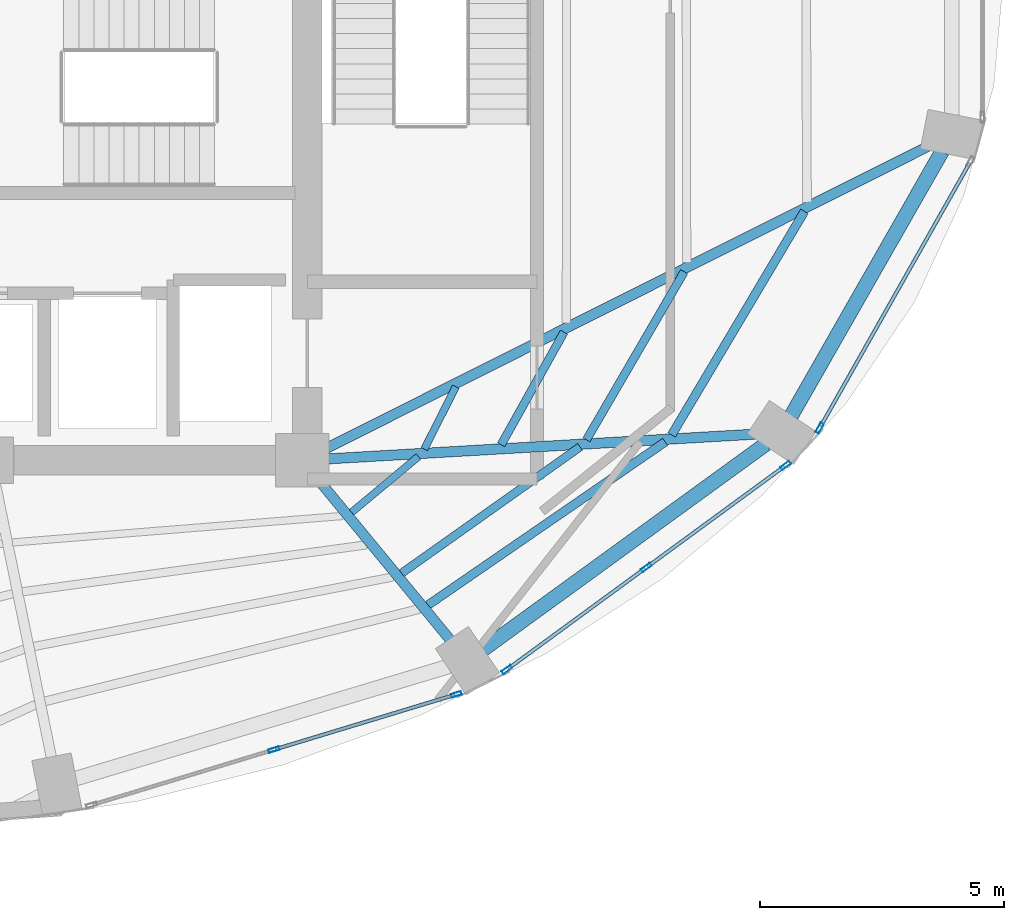
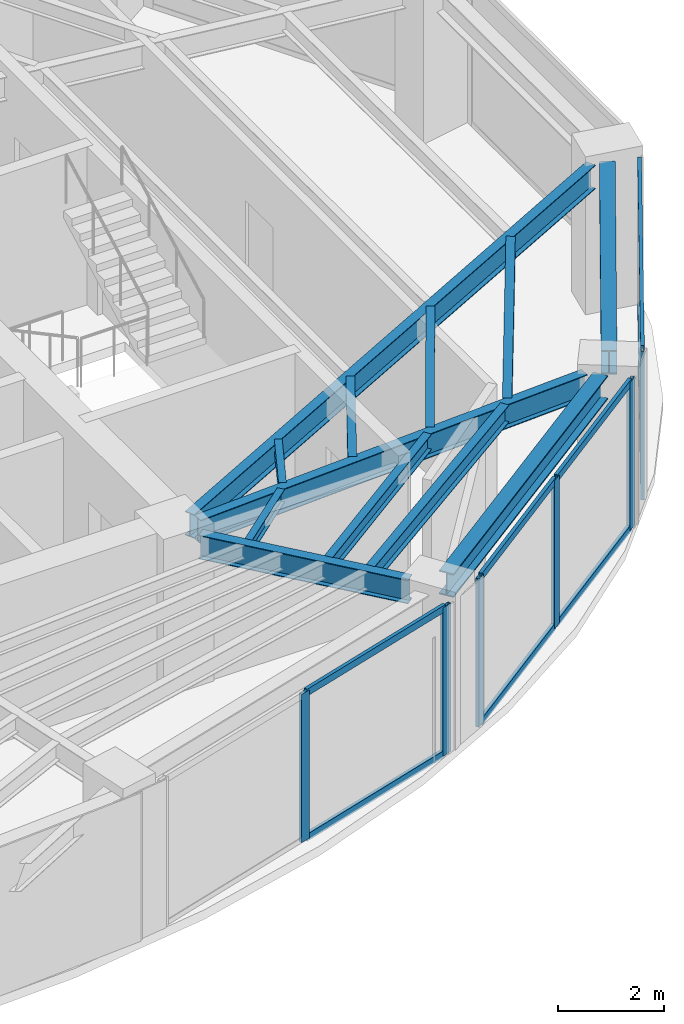
# One storey, part 9 of 20: 14 members, 12 beams, 3 elements without a shape of their own.
"""IFC4 building model written with IfcOpenShell, lengths in metres."""

from ifc_helpers import new_model, si_unit, direction, frame, origin, origin_2d, place, context, subcontext, project, spatial, hollow_rectangle, i_section, extrude, material, layer, layer_set, material_profile, profile_set, type_object, element, aggregate, save


model = new_model("IFC4")

# Units and contexts
model_context = context("Model", 3, precision=1e-05, world=origin(), true_north=direction((0.0, 1.0)))
body_context = subcontext(model_context, "Body", "Model", "MODEL_VIEW")
ifc_project = project(units=[si_unit("LENGTHUNIT", "METRE"), si_unit("AREAUNIT", "SQUARE_METRE"), si_unit("VOLUMEUNIT", "CUBIC_METRE"), si_unit("PLANEANGLEUNIT", "RADIAN"), si_unit("MASSUNIT", "GRAM", prefix="KILO")], contexts=[model_context])

# Site, building, storey
site_placement = place(None, origin())
site = spatial("IfcSite", under=ifc_project, at=site_placement, CompositionType="ELEMENT")
building_placement = place(site_placement, origin())
building = spatial("IfcBuilding", under=site, at=building_placement, Name="Lazwardi Medical Tower", CompositionType="ELEMENT")
storey_placement = place(building_placement, frame((0.0, 0.0, 174.76806640625)))
storey = spatial("IfcBuildingStorey", under=building, at=storey_placement, Name="L45", CompositionType="ELEMENT", Elevation=174.76806640625)

# Beams
ifc_material_1 = material(Name="Steel S355", Category="steel")
ifc_material_profile_1 = material_profile(ifc_material_1, i_section(OverallWidth=0.300048828125, OverallDepth=0.550048828125, WebThickness=0.014892578125, FlangeThickness=0.029052734375, at=origin_2d()), Name="HEB 550")
ifc_profile_set_1 = profile_set([ifc_material_profile_1], Name="Steel S355")
beam_type_1 = type_object("IfcBeamType", Name="BM-RB-Z3", PredefinedType="BEAM", material=ifc_profile_set_1)
beam_1_placement = place(storey_placement, frame((49.310302734375, 16.520751953125, 3.15283203125), z_axis=(0.809127570774, 0.587633026824, 0.0), x_axis=(-0.587633026824, 0.809127570774, 0.0)))
element("IfcBeam", 1, at=beam_1_placement, inside=storey, type_object=beam_type_1, Name="Ring beam RB-04 B02 L45", PredefinedType="BEAM", context=body_context, shape_type="SweptSolid", body=[
    extrude(i_section(OverallWidth=0.300048828125, OverallDepth=0.550048828125, WebThickness=0.014892578125, FlangeThickness=0.029052734375, at=origin_2d()), origin(), (0.0, 0.0, 1.0), 7.170166015625),
])
beam_2_placement = place(storey_placement, frame((55.6337890625, 21.316650390625, 3.15283203125), z_axis=(0.495477752551, 0.868620628771, 0.0), x_axis=(-0.868620628771, 0.495477752551, 0.0)))
element("IfcBeam", 2, at=beam_2_placement, inside=storey, type_object=beam_type_1, Name="Ring beam RB-04 B03 L45", PredefinedType="BEAM", context=body_context, shape_type="SweptSolid", body=[
    extrude(i_section(OverallWidth=0.300048828125, OverallDepth=0.550048828125, WebThickness=0.014892578125, FlangeThickness=0.029052734375, at=origin_2d()), origin(), (0.0, 0.0, 1.0), 6.244384765625),
])
ifc_material_profile_2 = material_profile(ifc_material_1, i_section(OverallWidth=0.2099609375, OverallDepth=0.550048828125, WebThickness=0.010986328125, FlangeThickness=0.01708984375, at=origin_2d()), Name="IPE 550")
ifc_profile_set_2 = profile_set([ifc_material_profile_2], Name="Steel S355")
beam_type_2 = type_object("IfcBeamType", Name="BM-RG-W2", PredefinedType="BEAM", material=ifc_profile_set_2)
beam_3_placement = place(storey_placement, frame((48.630615234375, 16.71826171875, 3.15283203125), z_axis=(-0.635555639966, 0.772055068312, 0.0), x_axis=(-0.772055068312, -0.635555639966, 0.0)))
element("IfcBeam", 3, at=beam_3_placement, inside=storey, type_object=beam_type_2, Name="Radial girder RG-03 R02 L45", PredefinedType="BEAM", context=body_context, shape_type="SweptSolid", body=[
    extrude(i_section(OverallWidth=0.2099609375, OverallDepth=0.550048828125, WebThickness=0.010986328125, FlangeThickness=0.01708984375, at=origin_2d()), origin(), (0.0, 0.0, 1.0), 4.233642578125),
])
beam_4_placement = place(storey_placement, frame((54.87646484375, 20.936767578125, 3.15283203125), z_axis=(-0.998330154646, -0.057765927014, 0.0), x_axis=(0.057765927014, -0.998330154646, 0.0)))
element("IfcBeam", 4, at=beam_4_placement, inside=storey, type_object=beam_type_2, Name="Radial girder RG-03 R03 L45", PredefinedType="BEAM", context=body_context, shape_type="SweptSolid", body=[
    extrude(i_section(OverallWidth=0.2099609375, OverallDepth=0.550048828125, WebThickness=0.010986328125, FlangeThickness=0.01708984375, at=origin_2d()), origin(), (0.0, 0.0, 1.0), 8.757080078125),
])
beam_5_placement = place(storey_placement, frame((58.42529296875, 26.837158203125, 3.15283203125), z_axis=(-0.893740468624, -0.448584412061, 0.0), x_axis=(0.448584412061, -0.893740468624, 0.0)))
element("IfcBeam", 5, at=beam_5_placement, inside=storey, type_object=beam_type_2, Name="Radial girder RG-03 R04 L45", PredefinedType="BEAM", context=body_context, shape_type="SweptSolid", body=[
    extrude(i_section(OverallWidth=0.2099609375, OverallDepth=0.550048828125, WebThickness=0.010986328125, FlangeThickness=0.01708984375, at=origin_2d()), origin(), (0.0, 0.0, 1.0), 13.815185546875),
])
ifc_material_profile_3 = material_profile(ifc_material_1, i_section(OverallWidth=0.179931640625, OverallDepth=0.39990234375, WebThickness=0.008544921875, FlangeThickness=0.013427734375, at=origin_2d()), Name="IPE 400")
ifc_profile_set_3 = profile_set([ifc_material_profile_3], Name="Steel S355")
beam_type_3 = type_object("IfcBeamType", Name="BM-SJ-01", PredefinedType="JOIST", material=ifc_profile_set_3)
beam_6_placement = place(storey_placement, frame((48.1748046875, 17.4287109375, 3.22802734375), z_axis=(0.823932256005, 0.566688307198, 0.0), x_axis=(-0.566688307198, 0.823932256005, 0.0)))
element("IfcBeam", 6, at=beam_6_placement, inside=storey, type_object=beam_type_3, Name="Secondary joist SJ-01 R1 B02 L45", PredefinedType="JOIST", context=body_context, shape_type="SweptSolid", body=[
    extrude(i_section(OverallWidth=0.179931640625, OverallDepth=0.39990234375, WebThickness=0.008544921875, FlangeThickness=0.013427734375, at=origin_2d()), origin(), (0.0, 0.0, 1.0), 5.91162109375),
])
beam_7_placement = place(storey_placement, frame((53.17919921875, 20.921630859375, 3.22802734375), z_axis=(0.510569396963, 0.859836548935, 0.0), x_axis=(-0.859836548935, 0.510569396963, 0.0)))
element("IfcBeam", 7, at=beam_7_placement, inside=storey, type_object=beam_type_3, Name="Secondary joist SJ-01 R1 B03 L45", PredefinedType="JOIST", context=body_context, shape_type="SweptSolid", body=[
    extrude(i_section(OverallWidth=0.179931640625, OverallDepth=0.39990234375, WebThickness=0.008544921875, FlangeThickness=0.013427734375, at=origin_2d()), origin(), (0.0, 0.0, 1.0), 5.33837890625),
])
ifc_material_profile_4 = material_profile(ifc_material_1, i_section(OverallWidth=0.169921875, OverallDepth=0.360107421875, WebThickness=0.008056640625, FlangeThickness=0.0126953125, at=origin_2d()), Name="IPE 360")
ifc_profile_set_4 = profile_set([ifc_material_profile_4], Name="Steel S355")
beam_type_4 = type_object("IfcBeamType", Name="BM-SJ-02", PredefinedType="JOIST", material=ifc_profile_set_4)
beam_8_placement = place(storey_placement, frame((47.635986328125, 18.08349609375, 3.248046875), z_axis=(0.816108950798, 0.577898070967, 0.0), x_axis=(-0.577898070967, 0.816108950798, 0.0)))
element("IfcBeam", 8, at=beam_8_placement, inside=storey, type_object=beam_type_4, Name="Secondary joist SJ-02 R2 B02 L45", PredefinedType="JOIST", context=body_context, shape_type="SweptSolid", body=[
    extrude(i_section(OverallWidth=0.169921875, OverallDepth=0.360107421875, WebThickness=0.008056640625, FlangeThickness=0.0126953125, at=origin_2d()), origin(), (0.0, 0.0, 1.0), 4.487060546875),
])
beam_9_placement = place(storey_placement, frame((51.4296875, 20.82080078125, 3.248046875), z_axis=(0.502665102216, 0.864481228839, 0.0), x_axis=(-0.864481228839, 0.502665102216, 0.0)))
element("IfcBeam", 9, at=beam_9_placement, inside=storey, type_object=beam_type_4, Name="Secondary joist SJ-02 R2 B03 L45", PredefinedType="JOIST", context=body_context, shape_type="SweptSolid", body=[
    extrude(i_section(OverallWidth=0.169921875, OverallDepth=0.360107421875, WebThickness=0.008056640625, FlangeThickness=0.0126953125, at=origin_2d()), origin(), (0.0, 0.0, 1.0), 3.991943359375),
])
beam_10_placement = place(storey_placement, frame((49.6796875, 20.720703125, 3.248046875), z_axis=(0.487099444348, 0.87334651274, 0.0), x_axis=(-0.87334651274, 0.487099444348, 0.0)))
element("IfcBeam", 10, at=beam_10_placement, inside=storey, type_object=beam_type_4, Name="Secondary joist SJ-02 R3 B03 L45", PredefinedType="JOIST", context=body_context, shape_type="SweptSolid", body=[
    extrude(i_section(OverallWidth=0.169921875, OverallDepth=0.360107421875, WebThickness=0.008056640625, FlangeThickness=0.0126953125, at=origin_2d()), origin(), (0.0, 0.0, 1.0), 2.64599609375),
])
ifc_material_profile_5 = material_profile(ifc_material_1, i_section(OverallWidth=0.14990234375, OverallDepth=0.300048828125, WebThickness=0.007080078125, FlangeThickness=0.0107421875, at=origin_2d()), Name="IPE 300")
ifc_profile_set_5 = profile_set([ifc_material_profile_5], Name="Steel S355")
beam_type_5 = type_object("IfcBeamType", Name="BM-SJ-03", PredefinedType="JOIST", material=ifc_profile_set_5)
beam_11_placement = place(storey_placement, frame((46.608642578125, 19.331787109375, 3.27783203125), z_axis=(0.767437193893, 0.641124132621, 0.0), x_axis=(-0.641124132621, 0.767437193893, 0.0)))
element("IfcBeam", 11, at=beam_11_placement, inside=storey, type_object=beam_type_5, Name="Secondary joist SJ-03 R4 B02 L45", PredefinedType="JOIST", context=body_context, shape_type="SweptSolid", body=[
    extrude(i_section(OverallWidth=0.14990234375, OverallDepth=0.300048828125, WebThickness=0.007080078125, FlangeThickness=0.0107421875, at=origin_2d()), origin(), (0.0, 0.0, 1.0), 1.787841796875),
])
beam_12_placement = place(storey_placement, frame((48.1025390625, 20.631591796875, 3.27783203125), z_axis=(0.450406075332, 0.892823816497, 0.0), x_axis=(-0.892823816497, 0.450406075332, 0.0)))
element("IfcBeam", 12, at=beam_12_placement, inside=storey, type_object=beam_type_5, Name="Secondary joist SJ-03 R4 B03 L45", PredefinedType="JOIST", context=body_context, shape_type="SweptSolid", body=[
    extrude(i_section(OverallWidth=0.14990234375, OverallDepth=0.300048828125, WebThickness=0.007080078125, FlangeThickness=0.0107421875, at=origin_2d()), origin(), (0.0, 0.0, 1.0), 1.4365234375),
])

# Curtain wall, members
ifc_material_2 = material(Name="Anodised bronze aluminium and solar control glazing", Category="aluminium")
ifc_layer = layer(ifc_material_2, 0.195068359375)
ifc_layer_set = layer_set([ifc_layer], Name="Anodised bronze aluminium and solar control glazing")
curtain_wall_type = type_object("IfcCurtainWallType", Name="CW-SYS-03", PredefinedType="NOTDEFINED", material=ifc_layer_set)
curtain_wall_1_placement = place(storey_placement, origin())
curtain_wall_1 = element("IfcCurtainWall", 13, at=curtain_wall_1_placement, inside=storey, type_object=curtain_wall_type, Name="L45 Unitised bronze curtain wall CW-03", PredefinedType="NOTDEFINED")
ifc_material_3 = material(Name="Anodised bronze aluminium", Category="aluminium")
ifc_material_profile_6 = material_profile(ifc_material_3, hollow_rectangle(XDim=0.074951171875, YDim=0.219970703125, WallThickness=0.00390625, at=origin_2d()), Name="ALU-MULLION 220x75x4")
ifc_profile_set_6 = profile_set([ifc_material_profile_6], Name="Anodised bronze aluminium")
member_type_1 = type_object("IfcMemberType", Name="CW-MUL-01", PredefinedType="MULLION", material=ifc_profile_set_6)
member_1_placement = place(storey_placement, frame((45.01513671875, 14.461181640625, 0.0), z_axis=(0.0, 0.0, 1.0), x_axis=(-0.290280785441, 0.956941516292, 0.0)))
member_1 = element("IfcMember", 14, at=member_1_placement, type_object=member_type_1, Name="CW-03 mullion 2", PredefinedType="MULLION", context=body_context, shape_type="SweptSolid", body=[
    extrude(hollow_rectangle(XDim=0.074951171875, YDim=0.219970703125, WallThickness=0.00390625, at=origin_2d()), origin(), (0.0, 0.0, 1.0), 3.427978515625),
])
member_2_placement = place(storey_placement, frame((48.758056640625, 15.5966796875, 0.0), z_axis=(0.0, 0.0, 1.0), x_axis=(-0.290280785441, 0.956941516292, 0.0)))
member_2 = element("IfcMember", 15, at=member_2_placement, type_object=member_type_1, Name="CW-03 mullion 3", PredefinedType="MULLION", context=body_context, shape_type="SweptSolid", body=[
    extrude(hollow_rectangle(XDim=0.074951171875, YDim=0.219970703125, WallThickness=0.00390625, at=origin_2d()), origin(), (0.0, 0.0, 1.0), 3.427978515625),
])

curtain_wall_2_placement = place(storey_placement, origin())
curtain_wall_2 = element("IfcCurtainWall", 16, at=curtain_wall_2_placement, inside=storey, type_object=curtain_wall_type, Name="L45 Unitised bronze curtain wall CW-03", PredefinedType="NOTDEFINED")
member_3_placement = place(storey_placement, frame((49.795654296875, 16.105224609375, 0.0), z_axis=(0.0, 0.0, 1.0), x_axis=(-0.590833862635, 0.806793249082, 0.0)))
member_3 = element("IfcMember", 17, at=member_3_placement, type_object=member_type_1, Name="CW-03 mullion 1", PredefinedType="MULLION", context=body_context, shape_type="SweptSolid", body=[
    extrude(hollow_rectangle(XDim=0.074951171875, YDim=0.219970703125, WallThickness=0.00390625, at=origin_2d()), origin(), (0.0, 0.0, 1.0), 3.427978515625),
])
member_4_placement = place(storey_placement, frame((52.65771484375, 18.201171875, 0.0), z_axis=(0.0, 0.0, 1.0), x_axis=(-0.590833862635, 0.806793249082, 0.0)))
member_4 = element("IfcMember", 18, at=member_4_placement, type_object=member_type_1, Name="CW-03 mullion 2", PredefinedType="MULLION", context=body_context, shape_type="SweptSolid", body=[
    extrude(hollow_rectangle(XDim=0.074951171875, YDim=0.219970703125, WallThickness=0.00390625, at=origin_2d()), origin(), (0.0, 0.0, 1.0), 3.427978515625),
])
member_5_placement = place(storey_placement, frame((55.519775390625, 20.297119140625, 0.0), z_axis=(0.0, 0.0, 1.0), x_axis=(-0.590833862635, 0.806793249082, 0.0)))
member_5 = element("IfcMember", 19, at=member_5_placement, type_object=member_type_1, Name="CW-03 mullion 3", PredefinedType="MULLION", context=body_context, shape_type="SweptSolid", body=[
    extrude(hollow_rectangle(XDim=0.074951171875, YDim=0.219970703125, WallThickness=0.00390625, at=origin_2d()), origin(), (0.0, 0.0, 1.0), 3.427978515625),
])

# Curtain wall, member
curtain_wall_3_placement = place(storey_placement, origin())
curtain_wall_3 = element("IfcCurtainWall", 20, at=curtain_wall_3_placement, inside=storey, type_object=curtain_wall_type, Name="L45 Unitised bronze curtain wall CW-03", PredefinedType="NOTDEFINED")
member_6_placement = place(storey_placement, frame((56.217529296875, 21.063232421875, 0.0), z_axis=(0.0, 0.0, 1.0), x_axis=(-0.870418989303, 0.492311672683, 0.0)))
member_6 = element("IfcMember", 21, at=member_6_placement, type_object=member_type_1, Name="CW-03 mullion 1", PredefinedType="MULLION", context=body_context, shape_type="SweptSolid", body=[
    extrude(hollow_rectangle(XDim=0.074951171875, YDim=0.219970703125, WallThickness=0.00390625, at=origin_2d()), origin(), (0.0, 0.0, 1.0), 3.427978515625),
])

# Member
ifc_material_profile_7 = material_profile(ifc_material_3, hollow_rectangle(XDim=0.074951171875, YDim=0.159912109375, WallThickness=0.00390625, at=origin_2d()), Name="ALU-TRANSOM 160x75x4")
ifc_profile_set_7 = profile_set([ifc_material_profile_7], Name="Anodised bronze aluminium")
member_type_2 = type_object("IfcMemberType", Name="CW-TRN-01", PredefinedType="USERDEFINED", material=ifc_profile_set_7)
member_7_placement = place(storey_placement, frame((45.051025390625, 14.47216796875, 0.037353515625), z_axis=(0.956930154175, 0.290318239233, 0.0), x_axis=(-0.290318239233, 0.956930154175, 0.0)))
member_7 = element("IfcMember", 22, at=member_7_placement, type_object=member_type_2, Name="CW-03 transom 2.1", ObjectType="TRANSOM", PredefinedType="USERDEFINED", context=body_context, shape_type="SweptSolid", body=[
    extrude(hollow_rectangle(XDim=0.074951171875, YDim=0.159912109375, WallThickness=0.00390625, at=origin_2d()), origin(), (0.0, 0.0, 1.0), 3.83642578125),
])

member_8_placement = place(storey_placement, frame((45.051025390625, 14.47216796875, 3.390380859375), z_axis=(0.956930154175, 0.290318239233, 0.0), x_axis=(-0.290318239233, 0.956930154175, 0.0)))
member_8 = element("IfcMember", 23, at=member_8_placement, type_object=member_type_2, Name="CW-03 transom 2.2", ObjectType="TRANSOM", PredefinedType="USERDEFINED", context=body_context, shape_type="SweptSolid", body=[
    extrude(hollow_rectangle(XDim=0.074951171875, YDim=0.159912109375, WallThickness=0.00390625, at=origin_2d()), origin(), (0.0, 0.0, 1.0), 3.83642578125),
])

aggregate(curtain_wall_1, [member_1, member_2, member_7, member_8])

member_9_placement = place(storey_placement, frame((49.825927734375, 16.127197265625, 0.037353515625), z_axis=(0.806773646358, 0.590860629542, 0.0), x_axis=(-0.590860629542, 0.806773646358, 0.0)))
member_9 = element("IfcMember", 24, at=member_9_placement, type_object=member_type_2, Name="CW-03 transom 1.1", ObjectType="TRANSOM", PredefinedType="USERDEFINED", context=body_context, shape_type="SweptSolid", body=[
    extrude(hollow_rectangle(XDim=0.074951171875, YDim=0.159912109375, WallThickness=0.00390625, at=origin_2d()), origin(), (0.0, 0.0, 1.0), 3.472412109375),
])

member_10_placement = place(storey_placement, frame((49.825927734375, 16.127197265625, 3.390380859375), z_axis=(0.806773646358, 0.590860629542, 0.0), x_axis=(-0.590860629542, 0.806773646358, 0.0)))
member_10 = element("IfcMember", 25, at=member_10_placement, type_object=member_type_2, Name="CW-03 transom 1.2", ObjectType="TRANSOM", PredefinedType="USERDEFINED", context=body_context, shape_type="SweptSolid", body=[
    extrude(hollow_rectangle(XDim=0.074951171875, YDim=0.159912109375, WallThickness=0.00390625, at=origin_2d()), origin(), (0.0, 0.0, 1.0), 3.472412109375),
])

member_11_placement = place(storey_placement, frame((52.68798828125, 18.22314453125, 0.037353515625), z_axis=(0.806773646358, 0.590860629542, 0.0), x_axis=(-0.590860629542, 0.806773646358, 0.0)))
member_11 = element("IfcMember", 26, at=member_11_placement, type_object=member_type_2, Name="CW-03 transom 2.1", ObjectType="TRANSOM", PredefinedType="USERDEFINED", context=body_context, shape_type="SweptSolid", body=[
    extrude(hollow_rectangle(XDim=0.074951171875, YDim=0.159912109375, WallThickness=0.00390625, at=origin_2d()), origin(), (0.0, 0.0, 1.0), 3.472412109375),
])

member_12_placement = place(storey_placement, frame((52.68798828125, 18.22314453125, 3.390380859375), z_axis=(0.806773646358, 0.590860629542, 0.0), x_axis=(-0.590860629542, 0.806773646358, 0.0)))
member_12 = element("IfcMember", 27, at=member_12_placement, type_object=member_type_2, Name="CW-03 transom 2.2", ObjectType="TRANSOM", PredefinedType="USERDEFINED", context=body_context, shape_type="SweptSolid", body=[
    extrude(hollow_rectangle(XDim=0.074951171875, YDim=0.159912109375, WallThickness=0.00390625, at=origin_2d()), origin(), (0.0, 0.0, 1.0), 3.472412109375),
])

aggregate(curtain_wall_2, [member_3, member_4, member_5, member_9, member_10, member_11, member_12])

member_13_placement = place(storey_placement, frame((56.236083984375, 21.095947265625, 0.037353515625), z_axis=(0.492322860598, 0.870412661289, 0.0), x_axis=(-0.870412661289, 0.492322860598, 0.0)))
member_13 = element("IfcMember", 28, at=member_13_placement, type_object=member_type_2, Name="CW-03 transom 1.1", ObjectType="TRANSOM", PredefinedType="USERDEFINED", context=body_context, shape_type="SweptSolid", body=[
    extrude(hollow_rectangle(XDim=0.074951171875, YDim=0.159912109375, WallThickness=0.00390625, at=origin_2d()), origin(), (0.0, 0.0, 1.0), 6.20849609375),
])

member_14_placement = place(storey_placement, frame((56.236083984375, 21.095947265625, 3.390380859375), z_axis=(0.492322860598, 0.870412661289, 0.0), x_axis=(-0.870412661289, 0.492322860598, 0.0)))
member_14 = element("IfcMember", 29, at=member_14_placement, type_object=member_type_2, Name="CW-03 transom 1.2", ObjectType="TRANSOM", PredefinedType="USERDEFINED", context=body_context, shape_type="SweptSolid", body=[
    extrude(hollow_rectangle(XDim=0.074951171875, YDim=0.159912109375, WallThickness=0.00390625, at=origin_2d()), origin(), (0.0, 0.0, 1.0), 6.20849609375),
])

aggregate(curtain_wall_3, [member_6, member_13, member_14])

save(model, "model.ifc")
